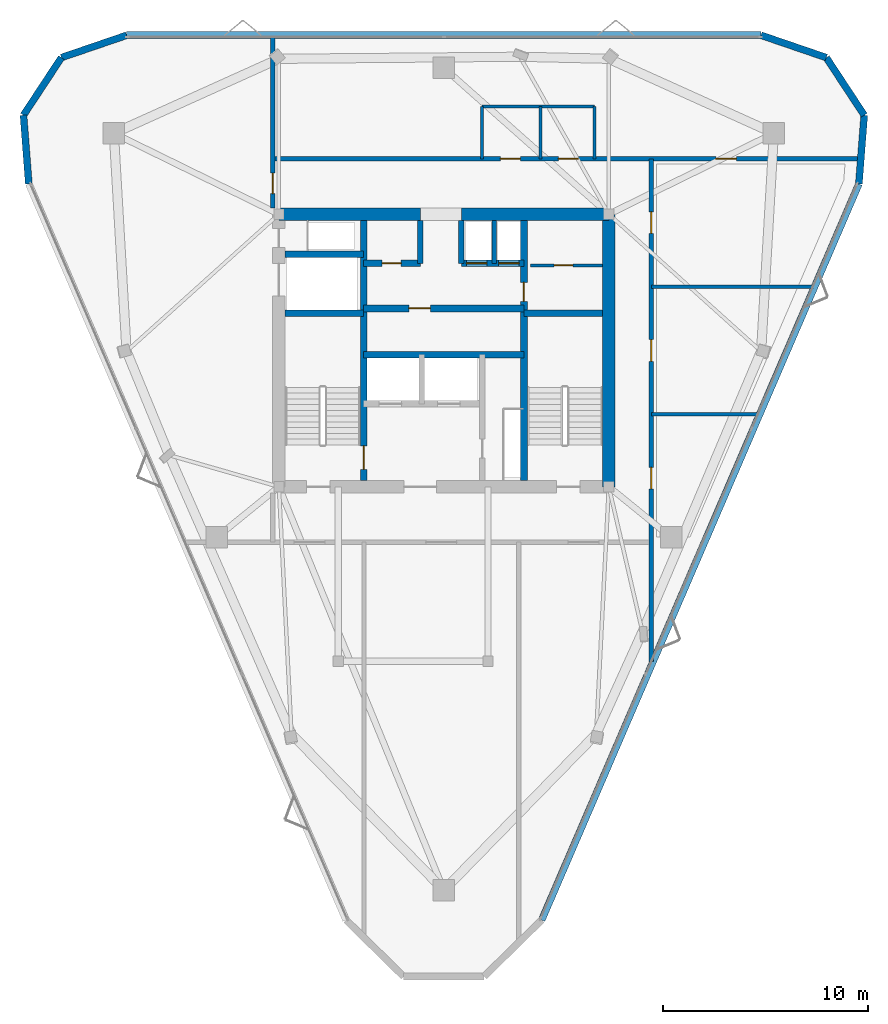
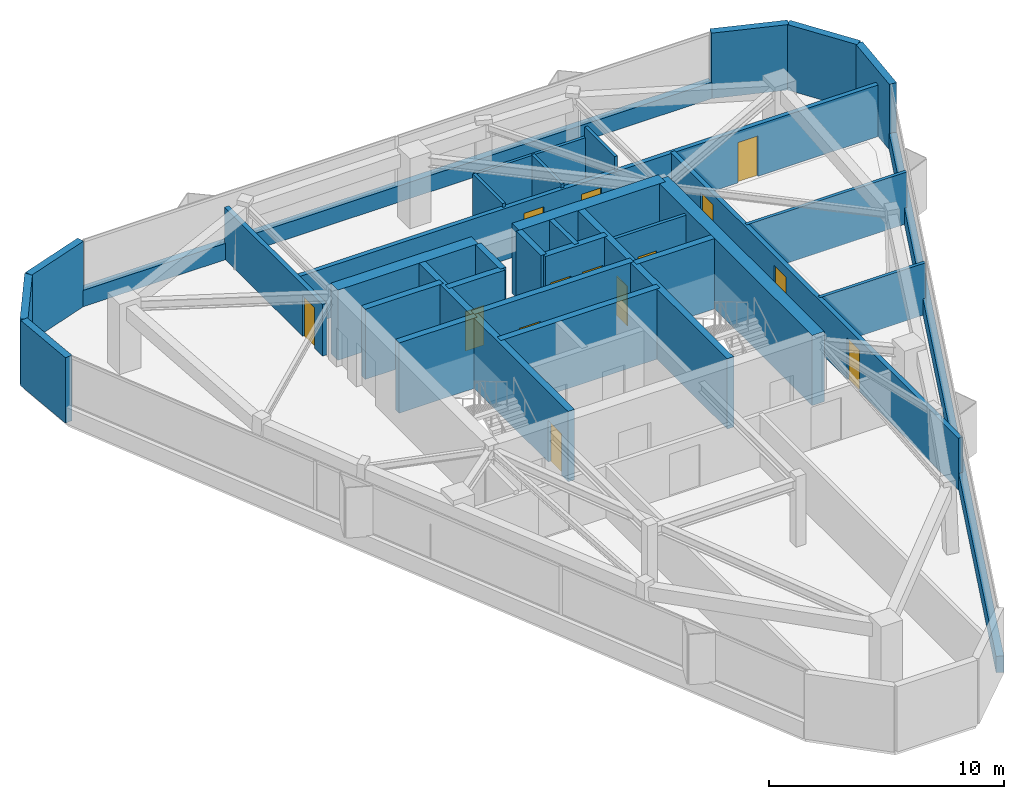
# One storey, part 7 of 9: 33 walls, 14 doors, 14 openings.
"""IFC4 building model written with IfcOpenShell, lengths in metres."""

from ifc_helpers import new_model, si_unit, direction, frame, frame_2d, origin, place, context, subcontext, project, spatial, rectangle, extrude, material, layer, layer_set, type_object, element, fill, save


model = new_model("IFC4")

# Units and contexts
model_context = context("Model", 3, precision=1e-05, world=origin(), true_north=direction((0.0, 1.0)))
body_context = subcontext(model_context, "Body", "Model", "MODEL_VIEW")
ifc_project = project(units=[si_unit("LENGTHUNIT", "METRE"), si_unit("AREAUNIT", "SQUARE_METRE"), si_unit("VOLUMEUNIT", "CUBIC_METRE"), si_unit("PLANEANGLEUNIT", "RADIAN"), si_unit("MASSUNIT", "GRAM", prefix="KILO")], contexts=[model_context])

# Site, building, storey
site_placement = place(None, origin())
site = spatial("IfcSite", under=ifc_project, at=site_placement, CompositionType="ELEMENT")
building_placement = place(site_placement, origin())
building = spatial("IfcBuilding", under=site, at=building_placement, Name="Talyreon Biosciences Tower", CompositionType="ELEMENT")
storey_placement = place(building_placement, frame((0.0, 0.0, 302.050048828125)))
storey = spatial("IfcBuildingStorey", under=building, at=storey_placement, Name="L80", CompositionType="ELEMENT", Elevation=302.050048828125)

# Walls
ifc_material_1 = material(Name="Concrete C50/60", Category="concrete")
ifc_layer_1 = layer(ifc_material_1, 0.219970703125)
ifc_layer_set_1 = layer_set([ifc_layer_1], Name="Concrete C50/60")
wall_type_1 = type_object("IfcWallType", Name="CoreShearWall_220", PredefinedType="SHEAR", material=ifc_layer_set_1)
wall_1_placement = place(storey_placement, frame((68.4599609375, 72.25, 0.0), z_axis=(0.0, 0.0, 1.0), x_axis=(0.0, 1.0, 0.0)))
element("IfcWall", 1, at=wall_1_placement, inside=storey, type_object=wall_type_1, Name="L80 Core Shaft Wall SWPHD", PredefinedType="SHEAR", context=body_context, shape_type="SweptSolid", body=[
    extrude(rectangle(XDim=2.10009765625, YDim=0.219970703125, at=frame_2d((1.050048828125, 0.0))), origin(), (0.0, 0.0, 1.0), 3.64990234375),
])
ifc_layer_2 = layer(ifc_material_1, 0.280029296875)
ifc_layer_set_2 = layer_set([ifc_layer_2], Name="Concrete C50/60")
wall_type_2 = type_object("IfcWallType", Name="CoreShearWall_280", PredefinedType="SHEAR", material=ifc_layer_set_2)
for number, where, z_axis, x_axis, name in (
    (2, (64.85009765625, 72.25, 0.0), (0.0, 0.0, 1.0), (0.0, 1.0, 0.0), "L80 Core Shaft Wall SWTHW"),
    (3, (66.85009765625, 72.25, 0.0), (0.0, 0.0, 1.0), (0.0, 1.0, 0.0), "L80 Core Shaft Wall SWTHE"),
):
    element("IfcWall", number, at=place(storey_placement, frame(where, z_axis=z_axis, x_axis=x_axis)), inside=storey, type_object=wall_type_2, Name=name, PredefinedType="SHEAR", context=body_context, shape_type="SweptSolid", body=[
        extrude(rectangle(XDim=2.10009765625, YDim=0.280029296875, at=frame_2d((1.050048828125, 0.0))), origin(), (0.0, 0.0, 1.0), 3.64990234375),
    ])

# Wall, opening, door
ifc_layer_3 = layer(ifc_material_1, 0.320068359375)
ifc_layer_set_3 = layer_set([ifc_layer_3], Name="Concrete C50/60")
wall_type_3 = type_object("IfcWallType", Name="CoreShearWall_320", PredefinedType="SHEAR", material=ifc_layer_set_3)
wall_2_placement = place(storey_placement, frame((62.090087890625, 61.64990234375, 0.0), z_axis=(0.0, 0.0, 1.0), x_axis=(0.0, 1.0, 0.0)))
wall_2 = element("IfcWall", 4, at=wall_2_placement, inside=storey, type_object=wall_type_3, Name="L80 Core Shaft Wall SW1E", PredefinedType="SHEAR", context=body_context, shape_type="SweptSolid", body=[
    extrude(rectangle(XDim=12.7001953125, YDim=0.320068359375, at=frame_2d((6.35009765625, 0.0))), origin(), (0.0, 0.0, 1.0), 3.64990234375),
])
opening_1_placement = place(wall_2_placement, frame((0.550048828125, 0.0, 0.0)))
opening_1 = element("IfcOpeningElement", 5, at=opening_1_placement, cuts=wall_2, Name="Opening DR-L80-FF-ST1", PredefinedType="OPENING", context=body_context, shape_type="SweptSolid", body=[
    extrude(rectangle(XDim=1.14990234375, YDim=2.14990234375, at=frame_2d((0.574951171875, 1.074951171875))), frame((0.0, 0.169921875, 0.0), z_axis=(0.0, -1.0, 0.0), x_axis=(1.0, 0.0, 0.0)), (0.0, 0.0, 1.0), 0.340087890625),
])
ifc_material_2 = material(Name="Painted steel fire door", Category="steel")
door_type_1 = type_object("IfcDoorType", Name="StairShaftFireDoor_1150x2150", OperationType="NOTDEFINED", PredefinedType="DOOR", material=ifc_material_2)
door_1_placement = place(opening_1_placement, origin())
door_1 = element("IfcDoor", 6, at=door_1_placement, inside=storey, type_object=door_type_1, Name="L80 Core Door DR-L80-FF-ST1", OperationType="SINGLE_SWING_LEFT", OverallHeight=2.14990234375, OverallWidth=1.14990234375, PredefinedType="DOOR", context=body_context, shape_type="SweptSolid", body=[
    extrude(rectangle(XDim=1.14990234375, YDim=2.14990234375, at=frame_2d((0.574951171875, 1.074951171875))), frame((0.0, 0.02490234375, 0.0), z_axis=(0.0, -1.0, 0.0), x_axis=(1.0, 0.0, 0.0)), (0.0, 0.0, 1.0), 0.050048828125),
])
fill(opening_1, door_1)

wall_3_placement = place(storey_placement, frame((69.909912109375, 61.64990234375, 0.0), z_axis=(0.0, 0.0, 1.0), x_axis=(0.0, 1.0, 0.0)))
wall_3 = element("IfcWall", 7, at=wall_3_placement, inside=storey, type_object=wall_type_3, Name="L80 Core Shaft Wall SW2W", PredefinedType="SHEAR", context=body_context, shape_type="SweptSolid", body=[
    extrude(rectangle(XDim=12.7001953125, YDim=0.320068359375, at=frame_2d((6.35009765625, 0.0))), origin(), (0.0, 0.0, 1.0), 3.64990234375),
])
opening_2_placement = place(wall_3_placement, frame((8.75, 0.0, 0.0)))
opening_2 = element("IfcOpeningElement", 8, at=opening_2_placement, cuts=wall_3, Name="Opening DR-L80-CSRV", PredefinedType="OPENING", context=body_context, shape_type="SweptSolid", body=[
    extrude(rectangle(XDim=0.919921875, YDim=2.050048828125, at=frame_2d((0.4599609375, 1.02490234375))), frame((0.0, 0.169921875, 0.0), z_axis=(0.0, -1.0, 0.0), x_axis=(1.0, 0.0, 0.0)), (0.0, 0.0, 1.0), 0.340087890625),
])
ifc_material_3 = material(Name="Painted steel fire-rated riser door", Category="steel")
door_type_2 = type_object("IfcDoorType", Name="RiserPlantAccessDoor_920x2050", OperationType="NOTDEFINED", PredefinedType="DOOR", material=ifc_material_3)
door_2_placement = place(opening_2_placement, origin())
door_2 = element("IfcDoor", 9, at=door_2_placement, inside=storey, type_object=door_type_2, Name="L80 Core Door DR-L80-CSRV", OperationType="SINGLE_SWING_RIGHT", OverallHeight=2.050048828125, OverallWidth=0.919921875, PredefinedType="DOOR", context=body_context, shape_type="SweptSolid", body=[
    extrude(rectangle(XDim=0.919921875, YDim=2.050048828125, at=frame_2d((0.4599609375, 1.02490234375))), frame((0.0, 0.02490234375, 0.0), z_axis=(0.0, -1.0, 0.0), x_axis=(1.0, 0.0, 0.0)), (0.0, 0.0, 1.0), 0.050048828125),
])
fill(opening_2, door_2)

# Walls
for number, where, z_axis, x_axis, name in (
    (10, (58.25, 69.81005859375, 0.0), (0.0, 0.0, 1.0), (1.0, 0.0, 0.0), "L80 Core Shaft Wall SW1N"),
    (11, (69.909912109375, 69.81005859375, 0.0), (0.0, 0.0, 1.0), (1.0, 0.0, 0.0), "L80 Core Shaft Wall SW2N"),
    (12, (58.25, 72.699951171875, 0.0), (0.0, 0.0, 1.0), (1.0, 0.0, 0.0), "L80 Core Shaft Wall SWGLN"),
):
    element("IfcWall", number, at=place(storey_placement, frame(where, z_axis=z_axis, x_axis=x_axis)), inside=storey, type_object=wall_type_3, Name=name, PredefinedType="SHEAR", context=body_context, shape_type="SweptSolid", body=[
        extrude(rectangle(XDim=3.840087890625, YDim=0.320068359375, at=frame_2d((1.919921875, 0.0))), origin(), (0.0, 0.0, 1.0), 3.64990234375),
    ])
wall_4_placement = place(storey_placement, frame((62.090087890625, 67.800048828125, 0.0), z_axis=(0.0, 0.0, 1.0), x_axis=(1.0, 0.0, 0.0)))
element("IfcWall", 13, at=wall_4_placement, inside=storey, type_object=wall_type_3, Name="L80 Core Shaft Wall SWSHM", PredefinedType="SHEAR", context=body_context, shape_type="SweptSolid", body=[
    extrude(rectangle(XDim=7.81982421875, YDim=0.320068359375, at=frame_2d((3.909912109375, 0.0))), origin(), (0.0, 0.0, 1.0), 3.64990234375),
])

# Wall, opening, door
wall_5_placement = place(storey_placement, frame((62.090087890625, 70.050048828125, 0.0), z_axis=(0.0, 0.0, 1.0), x_axis=(1.0, 0.0, 0.0)))
wall_5 = element("IfcWall", 14, at=wall_5_placement, inside=storey, type_object=wall_type_3, Name="L80 Core Shaft Wall SWSPN", PredefinedType="SHEAR", context=body_context, shape_type="SweptSolid", body=[
    extrude(rectangle(XDim=7.81982421875, YDim=0.320068359375, at=frame_2d((3.909912109375, 0.0))), origin(), (0.0, 0.0, 1.0), 3.64990234375),
])
opening_3_placement = place(wall_5_placement, frame((2.199951171875, 0.0, 0.0)))
opening_3 = element("IfcOpeningElement", 15, at=opening_3_placement, cuts=wall_5, Name="Opening DR-L80-PLPMFREE", PredefinedType="OPENING", context=body_context, shape_type="SweptSolid", body=[
    extrude(rectangle(XDim=1.050048828125, YDim=2.14990234375, at=frame_2d((0.52490234375, 1.074951171875))), frame((0.0, 0.169921875, 0.0), z_axis=(0.0, -1.0, 0.0), x_axis=(1.0, 0.0, 0.0)), (0.0, 0.0, 1.0), 0.340087890625),
])
ifc_material_4 = material(Name="Acoustic timber-core laboratory door", Category="wood")
door_type_3 = type_object("IfcDoorType", Name="DryLabSingleDoor_1050x2150", OperationType="NOTDEFINED", PredefinedType="DOOR", material=ifc_material_4)
door_3_placement = place(opening_3_placement, origin())
door_3 = element("IfcDoor", 16, at=door_3_placement, inside=storey, type_object=door_type_3, Name="L80 Core Door DR-L80-PLPMFREE", OperationType="SINGLE_SWING_LEFT", OverallHeight=2.14990234375, OverallWidth=1.050048828125, PredefinedType="DOOR", context=body_context, shape_type="SweptSolid", body=[
    extrude(rectangle(XDim=1.050048828125, YDim=2.14990234375, at=frame_2d((0.52490234375, 1.074951171875))), frame((0.0, 0.02490234375, 0.0), z_axis=(0.0, -1.0, 0.0), x_axis=(1.0, 0.0, 0.0)), (0.0, 0.0, 1.0), 0.050048828125),
])
fill(opening_3, door_3)

wall_6_placement = place(storey_placement, frame((62.090087890625, 72.25, 0.0), z_axis=(0.0, 0.0, 1.0), x_axis=(1.0, 0.0, 0.0)))
wall_6 = element("IfcWall", 17, at=wall_6_placement, inside=storey, type_object=wall_type_3, Name="L80 Core Shaft Wall SWNPW", PredefinedType="SHEAR", context=body_context, shape_type="SweptSolid", body=[
    extrude(rectangle(XDim=2.760009765625, YDim=0.320068359375, at=frame_2d((1.3798828125, 0.0))), origin(), (0.0, 0.0, 1.0), 3.64990234375),
])
opening_4_placement = place(wall_6_placement, frame((0.89990234375, 0.0, 0.0)))
opening_4 = element("IfcOpeningElement", 18, at=opening_4_placement, cuts=wall_6, Name="Opening DR-L80-PM2FREE", PredefinedType="OPENING", context=body_context, shape_type="SweptSolid", body=[
    extrude(rectangle(XDim=0.919921875, YDim=2.050048828125, at=frame_2d((0.4599609375, 1.02490234375))), frame((0.0, 0.169921875, 0.0), z_axis=(0.0, -1.0, 0.0), x_axis=(1.0, 0.0, 0.0)), (0.0, 0.0, 1.0), 0.340087890625),
])
door_4_placement = place(opening_4_placement, origin())
door_4 = element("IfcDoor", 19, at=door_4_placement, inside=storey, type_object=door_type_2, Name="L80 Core Door DR-L80-PM2FREE", OperationType="SINGLE_SWING_RIGHT", OverallHeight=2.050048828125, OverallWidth=0.919921875, PredefinedType="DOOR", context=body_context, shape_type="SweptSolid", body=[
    extrude(rectangle(XDim=0.919921875, YDim=2.050048828125, at=frame_2d((0.4599609375, 1.02490234375))), frame((0.0, 0.02490234375, 0.0), z_axis=(0.0, -1.0, 0.0), x_axis=(1.0, 0.0, 0.0)), (0.0, 0.0, 1.0), 0.050048828125),
])
fill(opening_4, door_4)

# Wall, openings, doors
wall_7_placement = place(storey_placement, frame((66.85009765625, 72.25, 0.0), z_axis=(0.0, 0.0, 1.0), x_axis=(1.0, 0.0, 0.0)))
wall_7 = element("IfcWall", 20, at=wall_7_placement, inside=storey, type_object=wall_type_3, Name="L80 Core Shaft Wall SWNPE", PredefinedType="SHEAR", context=body_context, shape_type="SweptSolid", body=[
    extrude(rectangle(XDim=3.059814453125, YDim=0.320068359375, at=frame_2d((1.52978515625, 0.0))), origin(), (0.0, 0.0, 1.0), 3.64990234375),
])
opening_5_placement = place(wall_7_placement, frame((0.25, 0.0, 0.0)))
opening_5 = element("IfcOpeningElement", 21, at=opening_5_placement, cuts=wall_7, Name="Opening LD-L80-PH1", PredefinedType="OPENING", context=body_context, shape_type="SweptSolid", body=[
    extrude(rectangle(XDim=1.0, YDim=2.199951171875, at=frame_2d((0.5, 1.10009765625))), frame((0.0, 0.169921875, 0.0), z_axis=(0.0, -1.0, 0.0), x_axis=(1.0, 0.0, 0.0)), (0.0, 0.0, 1.0), 0.340087890625),
])
opening_6_placement = place(wall_7_placement, frame((1.820068359375, 0.0, 0.0)))
opening_6 = element("IfcOpeningElement", 22, at=opening_6_placement, cuts=wall_7, Name="Opening LD-L80-PH2", PredefinedType="OPENING", context=body_context, shape_type="SweptSolid", body=[
    extrude(rectangle(XDim=1.0, YDim=2.199951171875, at=frame_2d((0.5, 1.10009765625))), frame((0.0, 0.169921875, 0.0), z_axis=(0.0, -1.0, 0.0), x_axis=(1.0, 0.0, 0.0)), (0.0, 0.0, 1.0), 0.340087890625),
])
ifc_material_5 = material(Name="Brushed stainless-steel lift landing door", Category="steel")
door_type_4 = type_object("IfcDoorType", Name="LiftSlidingLandingDoor_1100x2200", OperationType="SLIDING_TO_LEFT", PredefinedType="DOOR", material=ifc_material_5)
door_5_placement = place(opening_5_placement, origin())
door_5 = element("IfcDoor", 23, at=door_5_placement, inside=storey, type_object=door_type_4, Name="L80 Core Door LD-L80-PH1", OperationType="SLIDING_TO_LEFT", OverallHeight=2.199951171875, OverallWidth=1.0, PredefinedType="DOOR", context=body_context, shape_type="SweptSolid", body=[
    extrude(rectangle(XDim=1.0, YDim=2.199951171875, at=frame_2d((0.5, 1.10009765625))), frame((0.0, 0.02490234375, 0.0), z_axis=(0.0, -1.0, 0.0), x_axis=(1.0, 0.0, 0.0)), (0.0, 0.0, 1.0), 0.050048828125),
])
fill(opening_5, door_5)
door_6_placement = place(opening_6_placement, origin())
door_6 = element("IfcDoor", 24, at=door_6_placement, inside=storey, type_object=door_type_4, Name="L80 Core Door LD-L80-PH2", OperationType="SLIDING_TO_LEFT", OverallHeight=2.199951171875, OverallWidth=1.0, PredefinedType="DOOR", context=body_context, shape_type="SweptSolid", body=[
    extrude(rectangle(XDim=1.0, YDim=2.199951171875, at=frame_2d((0.5, 1.10009765625))), frame((0.0, 0.02490234375, 0.0), z_axis=(0.0, -1.0, 0.0), x_axis=(1.0, 0.0, 0.0)), (0.0, 0.0, 1.0), 0.050048828125),
])
fill(opening_6, door_6)

# Walls
ifc_layer_4 = layer(ifc_material_1, 0.60009765625)
ifc_layer_set_4 = layer_set([ifc_layer_4], Name="Concrete C50/60")
wall_type_4 = type_object("IfcWallType", Name="CoreShearWall_600", PredefinedType="SHEAR", material=ifc_layer_set_4)
wall_8_placement = place(storey_placement, frame((74.050048828125, 61.35009765625, 0.0), z_axis=(0.0, 0.0, 1.0), x_axis=(0.0, 1.0, 0.0)))
element("IfcWall", 25, at=wall_8_placement, inside=storey, type_object=wall_type_4, Name="L80 Core Shear Wall E", PredefinedType="SHEAR", context=body_context, shape_type="SweptSolid", body=[
    extrude(rectangle(XDim=13.2998046875, YDim=0.60009765625, at=frame_2d((6.64990234375, 0.0))), origin(), (0.0, 0.0, 1.0), 3.64990234375),
])
wall_9_placement = place(storey_placement, frame((74.050048828125, 74.64990234375, 0.0), z_axis=(0.0, 0.0, 1.0), x_axis=(-1.0, 0.0, 0.0)))
element("IfcWall", 26, at=wall_9_placement, inside=storey, type_object=wall_type_4, Name="L80 Core Shear Wall NE", PredefinedType="SHEAR", context=body_context, shape_type="SweptSolid", body=[
    extrude(rectangle(XDim=7.199951171875, YDim=0.60009765625, at=frame_2d((3.60009765625, 0.0))), origin(), (0.0, 0.0, 1.0), 3.64990234375),
])
wall_10_placement = place(storey_placement, frame((64.85009765625, 74.64990234375, 0.0), z_axis=(0.0, 0.0, 1.0), x_axis=(-1.0, 0.0, 0.0)))
element("IfcWall", 27, at=wall_10_placement, inside=storey, type_object=wall_type_4, Name="L80 Core Shear Wall NW", PredefinedType="SHEAR", context=body_context, shape_type="SweptSolid", body=[
    extrude(rectangle(XDim=6.900146484375, YDim=0.60009765625, at=frame_2d((3.4501953125, 0.0))), origin(), (0.0, 0.0, 1.0), 3.64990234375),
])

# Wall, openings, doors
ifc_material_6 = material(Name="Gypsum fireboard acoustic stud", Category="gypsum")
ifc_layer_5 = layer(ifc_material_6, 0.219970703125)
ifc_layer_set_5 = layer_set([ifc_layer_5], Name="Gypsum fireboard acoustic stud")
wall_type_5 = type_object("IfcWallType", Name="CorridorRatedPartition_220", PredefinedType="PARTITIONING", material=ifc_layer_set_5)
wall_11_placement = place(storey_placement, frame((57.64990234375, 77.35009765625, 0.0), z_axis=(0.0, 0.0, 1.0), x_axis=(1.0, 0.0, 0.0)))
wall_11 = element("IfcWall", 28, at=wall_11_placement, inside=storey, type_object=wall_type_5, Name="L80 Interior Wall IW-L80-COR-N", PredefinedType="PARTITIONING", context=body_context, shape_type="SweptSolid", body=[
    extrude(rectangle(XDim=28.612060546875, YDim=0.219970703125, at=frame_2d((14.30615234375, 0.0))), origin(), (0.0, 0.0, 1.0), 2.679931640625),
])
opening_7_placement = place(wall_11_placement, frame((11.110107421875, 0.0, 0.0)))
opening_7 = element("IfcOpeningElement", 29, at=opening_7_placement, cuts=wall_11, Name="Opening DR-L80-WC", PredefinedType="OPENING", context=body_context, shape_type="SweptSolid", body=[
    extrude(rectangle(XDim=0.97998046875, YDim=2.10009765625, at=frame_2d((0.489990234375, 1.050048828125))), frame((0.0, 0.119873046875, 0.0), z_axis=(0.0, -1.0, 0.0), x_axis=(1.0, 0.0, 0.0)), (0.0, 0.0, 1.0), 0.239990234375),
])
opening_8_placement = place(wall_11_placement, frame((13.93505859375, 0.0, 0.0)))
opening_8 = element("IfcOpeningElement", 30, at=opening_8_placement, cuts=wall_11, Name="Opening DR-L80-AWC", PredefinedType="OPENING", context=body_context, shape_type="SweptSolid", body=[
    extrude(rectangle(XDim=0.97998046875, YDim=2.10009765625, at=frame_2d((0.489990234375, 1.050048828125))), frame((0.0, 0.119873046875, 0.0), z_axis=(0.0, -1.0, 0.0), x_axis=(1.0, 0.0, 0.0)), (0.0, 0.0, 1.0), 0.239990234375),
])
opening_9_placement = place(wall_11_placement, frame((21.62109375, 0.0, 0.0)))
opening_9 = element("IfcOpeningElement", 31, at=opening_9_placement, cuts=wall_11, Name="Opening DR-L80-N1A", PredefinedType="OPENING", context=body_context, shape_type="SweptSolid", body=[
    extrude(rectangle(XDim=1.0, YDim=2.10009765625, at=frame_2d((0.5, 1.050048828125))), frame((0.0, 0.119873046875, 0.0), z_axis=(0.0, -1.0, 0.0), x_axis=(1.0, 0.0, 0.0)), (0.0, 0.0, 1.0), 0.239990234375),
])
ifc_material_7 = material(Name="Laminate moisture-resistant door", Category="wood")
door_type_5 = type_object("IfcDoorType", Name="AccessibleToiletDoor_980x2100", OperationType="NOTDEFINED", PredefinedType="DOOR", material=ifc_material_7)
door_7_placement = place(opening_7_placement, origin())
door_7 = element("IfcDoor", 32, at=door_7_placement, inside=storey, type_object=door_type_5, Name="L80 Interior Door DR-L80-WC", OperationType="SINGLE_SWING_RIGHT", OverallHeight=2.10009765625, OverallWidth=0.97998046875, PredefinedType="DOOR", context=body_context, shape_type="SweptSolid", body=[
    extrude(rectangle(XDim=0.97998046875, YDim=2.10009765625, at=frame_2d((0.489990234375, 1.050048828125))), frame((0.0, 0.02490234375, 0.0), z_axis=(0.0, -1.0, 0.0), x_axis=(1.0, 0.0, 0.0)), (0.0, 0.0, 1.0), 0.050048828125),
])
fill(opening_7, door_7)
door_8_placement = place(opening_8_placement, origin())
door_8 = element("IfcDoor", 33, at=door_8_placement, inside=storey, type_object=door_type_5, Name="L80 Interior Door DR-L80-AWC", OperationType="SINGLE_SWING_RIGHT", OverallHeight=2.10009765625, OverallWidth=0.97998046875, PredefinedType="DOOR", context=body_context, shape_type="SweptSolid", body=[
    extrude(rectangle(XDim=0.97998046875, YDim=2.10009765625, at=frame_2d((0.489990234375, 1.050048828125))), frame((0.0, 0.02490234375, 0.0), z_axis=(0.0, -1.0, 0.0), x_axis=(1.0, 0.0, 0.0)), (0.0, 0.0, 1.0), 0.050048828125),
])
fill(opening_8, door_8)
ifc_material_8 = material(Name="Acoustic oak veneer office door", Category="wood")
door_type_6 = type_object("IfcDoorType", Name="WriteupOfficeDoor_1000x2100", OperationType="NOTDEFINED", PredefinedType="DOOR", material=ifc_material_8)
door_9_placement = place(opening_9_placement, origin())
door_9 = element("IfcDoor", 34, at=door_9_placement, inside=storey, type_object=door_type_6, Name="L80 Interior Door DR-L80-N1A", OperationType="SINGLE_SWING_LEFT", OverallHeight=2.10009765625, OverallWidth=1.0, PredefinedType="DOOR", context=body_context, shape_type="SweptSolid", body=[
    extrude(rectangle(XDim=1.0, YDim=2.10009765625, at=frame_2d((0.5, 1.050048828125))), frame((0.0, 0.02490234375, 0.0), z_axis=(0.0, -1.0, 0.0), x_axis=(1.0, 0.0, 0.0)), (0.0, 0.0, 1.0), 0.050048828125),
])
fill(opening_9, door_9)

# Wall, opening, door
wall_12_placement = place(storey_placement, frame((57.64990234375, 74.949951171875, 0.0), z_axis=(0.0, 0.0, 1.0), x_axis=(0.0, 1.0, 0.0)))
wall_12 = element("IfcWall", 35, at=wall_12_placement, inside=storey, type_object=wall_type_5, Name="L80 Interior Wall IW-L80-WCAP-N", PredefinedType="PARTITIONING", context=body_context, shape_type="SweptSolid", body=[
    extrude(rectangle(XDim=8.348388671875, YDim=0.219970703125, at=frame_2d((4.17431640625, 0.0))), origin(), (0.0, 0.0, 1.0), 2.679931640625),
])
opening_10_placement = place(wall_12_placement, frame((0.699951171875, 0.0, 0.0)))
opening_10 = element("IfcOpeningElement", 36, at=opening_10_placement, cuts=wall_12, Name="Opening DR-L80-W1A", PredefinedType="OPENING", context=body_context, shape_type="SweptSolid", body=[
    extrude(rectangle(XDim=1.0, YDim=2.10009765625, at=frame_2d((0.5, 1.050048828125))), frame((0.0, 0.119873046875, 0.0), z_axis=(0.0, -1.0, 0.0), x_axis=(1.0, 0.0, 0.0)), (0.0, 0.0, 1.0), 0.239990234375),
])
door_10_placement = place(opening_10_placement, origin())
door_10 = element("IfcDoor", 37, at=door_10_placement, inside=storey, type_object=door_type_6, Name="L80 Interior Door DR-L80-W1A", OperationType="SINGLE_SWING_RIGHT", OverallHeight=2.10009765625, OverallWidth=1.0, PredefinedType="DOOR", context=body_context, shape_type="SweptSolid", body=[
    extrude(rectangle(XDim=1.0, YDim=2.10009765625, at=frame_2d((0.5, 1.050048828125))), frame((0.0, 0.02490234375, 0.0), z_axis=(0.0, -1.0, 0.0), x_axis=(1.0, 0.0, 0.0)), (0.0, 0.0, 1.0), 0.050048828125),
])
fill(opening_10, door_10)

# Wall, openings, doors
wall_13_placement = place(storey_placement, frame((76.1201171875, 52.826904296875, 0.0), z_axis=(0.0, 0.0, 1.0), x_axis=(0.0, 1.0, 0.0)))
wall_13 = element("IfcWall", 38, at=wall_13_placement, inside=storey, type_object=wall_type_5, Name="L80 Interior Wall IW-L80-COR-E", PredefinedType="PARTITIONING", context=body_context, shape_type="SweptSolid", body=[
    extrude(rectangle(XDim=24.523193359375, YDim=0.219970703125, at=frame_2d((12.26171875, 0.0))), origin(), (0.0, 0.0, 1.0), 2.679931640625),
])
opening_11_placement = place(wall_13_placement, frame((8.4150390625, 0.0, 0.0)))
opening_11 = element("IfcOpeningElement", 39, at=opening_11_placement, cuts=wall_13, Name="Opening DR-L80-E1A", PredefinedType="OPENING", context=body_context, shape_type="SweptSolid", body=[
    extrude(rectangle(XDim=1.050048828125, YDim=2.14990234375, at=frame_2d((0.52490234375, 1.074951171875))), frame((0.0, 0.119873046875, 0.0), z_axis=(0.0, -1.0, 0.0), x_axis=(1.0, 0.0, 0.0)), (0.0, 0.0, 1.0), 0.239990234375),
])
opening_12_placement = place(wall_13_placement, frame((14.64794921875, 0.0, 0.0)))
opening_12 = element("IfcOpeningElement", 40, at=opening_12_placement, cuts=wall_13, Name="Opening DR-L80-E2A", PredefinedType="OPENING", context=body_context, shape_type="SweptSolid", body=[
    extrude(rectangle(XDim=1.050048828125, YDim=2.14990234375, at=frame_2d((0.52490234375, 1.074951171875))), frame((0.0, 0.119873046875, 0.0), z_axis=(0.0, -1.0, 0.0), x_axis=(1.0, 0.0, 0.0)), (0.0, 0.0, 1.0), 0.239990234375),
])
opening_13_placement = place(wall_13_placement, frame((20.882080078125, 0.0, 0.0)))
opening_13 = element("IfcOpeningElement", 41, at=opening_13_placement, cuts=wall_13, Name="Opening DR-L80-E3A", PredefinedType="OPENING", context=body_context, shape_type="SweptSolid", body=[
    extrude(rectangle(XDim=1.050048828125, YDim=2.14990234375, at=frame_2d((0.52490234375, 1.074951171875))), frame((0.0, 0.119873046875, 0.0), z_axis=(0.0, -1.0, 0.0), x_axis=(1.0, 0.0, 0.0)), (0.0, 0.0, 1.0), 0.239990234375),
])
door_11_placement = place(opening_11_placement, origin())
door_11 = element("IfcDoor", 42, at=door_11_placement, inside=storey, type_object=door_type_3, Name="L80 Interior Door DR-L80-E1A", OperationType="SINGLE_SWING_LEFT", OverallHeight=2.14990234375, OverallWidth=1.050048828125, PredefinedType="DOOR", context=body_context, shape_type="SweptSolid", body=[
    extrude(rectangle(XDim=1.050048828125, YDim=2.14990234375, at=frame_2d((0.52490234375, 1.074951171875))), frame((0.0, 0.02490234375, 0.0), z_axis=(0.0, -1.0, 0.0), x_axis=(1.0, 0.0, 0.0)), (0.0, 0.0, 1.0), 0.050048828125),
])
fill(opening_11, door_11)
door_12_placement = place(opening_12_placement, origin())
door_12 = element("IfcDoor", 43, at=door_12_placement, inside=storey, type_object=door_type_3, Name="L80 Interior Door DR-L80-E2A", OperationType="SINGLE_SWING_RIGHT", OverallHeight=2.14990234375, OverallWidth=1.050048828125, PredefinedType="DOOR", context=body_context, shape_type="SweptSolid", body=[
    extrude(rectangle(XDim=1.050048828125, YDim=2.14990234375, at=frame_2d((0.52490234375, 1.074951171875))), frame((0.0, 0.02490234375, 0.0), z_axis=(0.0, -1.0, 0.0), x_axis=(1.0, 0.0, 0.0)), (0.0, 0.0, 1.0), 0.050048828125),
])
fill(opening_12, door_12)
door_13_placement = place(opening_13_placement, origin())
door_13 = element("IfcDoor", 44, at=door_13_placement, inside=storey, type_object=door_type_3, Name="L80 Interior Door DR-L80-E3A", OperationType="SINGLE_SWING_RIGHT", OverallHeight=2.14990234375, OverallWidth=1.050048828125, PredefinedType="DOOR", context=body_context, shape_type="SweptSolid", body=[
    extrude(rectangle(XDim=1.050048828125, YDim=2.14990234375, at=frame_2d((0.52490234375, 1.074951171875))), frame((0.0, 0.02490234375, 0.0), z_axis=(0.0, -1.0, 0.0), x_axis=(1.0, 0.0, 0.0)), (0.0, 0.0, 1.0), 0.050048828125),
])
fill(opening_13, door_13)

# Wall, opening, door
ifc_material_9 = material(Name="Gypsum acoustic stud partition", Category="gypsum")
ifc_layer_6 = layer(ifc_material_9, 0.159912109375)
ifc_layer_set_6 = layer_set([ifc_layer_6], Name="Gypsum acoustic stud partition")
wall_type_6 = type_object("IfcWallType", Name="LabSeparationPartition_160", PredefinedType="PARTITIONING", material=ifc_layer_set_6)
wall_14_placement = place(storey_placement, frame((70.22998046875, 72.14990234375, 0.0), z_axis=(0.0, 0.0, 1.0), x_axis=(1.0, 0.0, 0.0)))
wall_14 = element("IfcWall", 45, at=wall_14_placement, inside=storey, type_object=wall_type_6, Name="L80 Interior Wall IW-L80-CSRV-H", PredefinedType="PARTITIONING", context=body_context, shape_type="SweptSolid", body=[
    extrude(rectangle(XDim=3.52001953125, YDim=0.159912109375, at=frame_2d((1.760009765625, 0.0))), origin(), (0.0, 0.0, 1.0), 3.39990234375),
])
opening_14_placement = place(wall_14_placement, frame((1.14990234375, 0.0, 0.0)))
opening_14 = element("IfcOpeningElement", 46, at=opening_14_placement, cuts=wall_14, Name="Opening DR-L80-CSRV-I", PredefinedType="OPENING", context=body_context, shape_type="SweptSolid", body=[
    extrude(rectangle(XDim=0.919921875, YDim=2.050048828125, at=frame_2d((0.4599609375, 1.02490234375))), frame((0.0, 0.08984375, 0.0), z_axis=(0.0, -1.0, 0.0), x_axis=(1.0, 0.0, 0.0)), (0.0, 0.0, 1.0), 0.179931640625),
])
door_14_placement = place(opening_14_placement, origin())
door_14 = element("IfcDoor", 47, at=door_14_placement, inside=storey, type_object=door_type_2, Name="L80 Interior Door DR-L80-CSRV-I", OperationType="SINGLE_SWING_LEFT", OverallHeight=2.050048828125, OverallWidth=0.919921875, PredefinedType="DOOR", context=body_context, shape_type="SweptSolid", body=[
    extrude(rectangle(XDim=0.919921875, YDim=2.050048828125, at=frame_2d((0.4599609375, 1.02490234375))), frame((0.0, 0.02490234375, 0.0), z_axis=(0.0, -1.0, 0.0), x_axis=(1.0, 0.0, 0.0)), (0.0, 0.0, 1.0), 0.050048828125),
])
fill(opening_14, door_14)

# Walls
wall_15_placement = place(storey_placement, frame((76.1201171875, 64.883056640625, 0.0), z_axis=(0.0, 0.0, 1.0), x_axis=(1.0, 0.0, 0.0)))
element("IfcWall", 48, at=wall_15_placement, inside=storey, type_object=wall_type_6, Name="L80 Interior Wall IW-L80-EDIV1", PredefinedType="PARTITIONING", context=body_context, shape_type="SweptSolid", body=[
    extrude(rectangle(XDim=5.195068359375, YDim=0.159912109375, at=frame_2d((2.59765625, 0.0))), origin(), (0.0, 0.0, 1.0), 2.679931640625),
])
wall_16_placement = place(storey_placement, frame((76.1201171875, 71.116943359375, 0.0), z_axis=(0.0, 0.0, 1.0), x_axis=(1.0, 0.0, 0.0)))
element("IfcWall", 49, at=wall_16_placement, inside=storey, type_object=wall_type_6, Name="L80 Interior Wall IW-L80-EDIV2", PredefinedType="PARTITIONING", context=body_context, shape_type="SweptSolid", body=[
    extrude(rectangle(XDim=7.881591796875, YDim=0.159912109375, at=frame_2d((3.94091796875, 0.0))), origin(), (0.0, 0.0, 1.0), 2.679931640625),
])
ifc_material_10 = material(Name="Precast concrete C45/55", Category="concrete")
ifc_layer_7 = layer(ifc_material_10, 0.340087890625)
ifc_layer_set_7 = layer_set([ifc_layer_7], Name="Precast concrete C45/55")
wall_type_7 = type_object("IfcWallType", Name="PrecastConcreteSpandrelWall_340", PredefinedType="STANDARD", material=ifc_layer_set_7)
wall_17_placement = place(storey_placement, frame((45.74755859375, 76.12548828125, 0.0), z_axis=(0.0, 0.0, 1.0), x_axis=(-0.07716791082, 0.997018110939, 0.0)))
element("IfcWall", 50, at=wall_17_placement, inside=storey, type_object=wall_type_7, Name="L80 Rounded-Corner Concrete Pier 01", PredefinedType="STANDARD", context=body_context, shape_type="SweptSolid", body=[
    extrude(rectangle(XDim=3.3662109375, YDim=0.340087890625, at=frame_2d((1.68310546875, 0.0))), origin(), (0.0, 0.0, 1.0), 3.39990234375),
])
wall_18_placement = place(storey_placement, frame((45.48779296875, 79.481689453125, 0.0), z_axis=(0.0, 0.0, 1.0), x_axis=(0.549652464566, 0.835393421208, 0.0)))
element("IfcWall", 51, at=wall_18_placement, inside=storey, type_object=wall_type_7, Name="L80 Rounded-Corner Concrete Pier 02", PredefinedType="STANDARD", context=body_context, shape_type="SweptSolid", body=[
    extrude(rectangle(XDim=3.366455078125, YDim=0.340087890625, at=frame_2d((1.68310546875, 0.0))), origin(), (0.0, 0.0, 1.0), 3.39990234375),
])
wall_19_placement = place(storey_placement, frame((47.338134765625, 82.2939453125, 0.0), z_axis=(0.0, 0.0, 1.0), x_axis=(0.946188532632, 0.323615915423, 0.0)))
element("IfcWall", 52, at=wall_19_placement, inside=storey, type_object=wall_type_7, Name="L80 Rounded-Corner Concrete Pier 03", PredefinedType="STANDARD", context=body_context, shape_type="SweptSolid", body=[
    extrude(rectangle(XDim=3.3662109375, YDim=0.340087890625, at=frame_2d((1.68310546875, 0.0))), origin(), (0.0, 0.0, 1.0), 3.39990234375),
])
wall_20_placement = place(storey_placement, frame((50.523193359375, 83.38330078125, 0.0), z_axis=(0.0, 0.0, 1.0), x_axis=(1.0, 0.0, 0.0)))
element("IfcWall", 53, at=wall_20_placement, inside=storey, type_object=wall_type_7, Name="L80 Expressed Concrete Sill Wall 04", PredefinedType="STANDARD", context=body_context, shape_type="SweptSolid", body=[
    extrude(rectangle(XDim=30.95361328125, YDim=0.340087890625, at=frame_2d((15.476806640625, 0.0))), origin(), (0.0, 0.0, 1.0), 0.849853515625),
])
wall_21_placement = place(storey_placement, frame((81.476806640625, 83.38330078125, 0.0), z_axis=(0.0, 0.0, 1.0), x_axis=(0.946188532632, -0.323615915423, 0.0)))
element("IfcWall", 54, at=wall_21_placement, inside=storey, type_object=wall_type_7, Name="L80 Rounded-Corner Concrete Pier 05", PredefinedType="STANDARD", context=body_context, shape_type="SweptSolid", body=[
    extrude(rectangle(XDim=3.3662109375, YDim=0.340087890625, at=frame_2d((1.68310546875, 0.0))), origin(), (0.0, 0.0, 1.0), 3.39990234375),
])
wall_22_placement = place(storey_placement, frame((84.661865234375, 82.2939453125, 0.0), z_axis=(0.0, 0.0, 1.0), x_axis=(0.549652464566, -0.835393421208, 0.0)))
element("IfcWall", 55, at=wall_22_placement, inside=storey, type_object=wall_type_7, Name="L80 Rounded-Corner Concrete Pier 06", PredefinedType="STANDARD", context=body_context, shape_type="SweptSolid", body=[
    extrude(rectangle(XDim=3.366455078125, YDim=0.340087890625, at=frame_2d((1.68310546875, 0.0))), origin(), (0.0, 0.0, 1.0), 3.39990234375),
])
wall_23_placement = place(storey_placement, frame((86.51220703125, 79.481689453125, 0.0), z_axis=(0.0, 0.0, 1.0), x_axis=(-0.07716791082, -0.997018110939, 0.0)))
element("IfcWall", 56, at=wall_23_placement, inside=storey, type_object=wall_type_7, Name="L80 Rounded-Corner Concrete Pier 07", PredefinedType="STANDARD", context=body_context, shape_type="SweptSolid", body=[
    extrude(rectangle(XDim=3.3662109375, YDim=0.340087890625, at=frame_2d((1.68310546875, 0.0))), origin(), (0.0, 0.0, 1.0), 3.39990234375),
])
wall_24_placement = place(storey_placement, frame((86.25244140625, 76.12548828125, 0.0), z_axis=(0.0, 0.0, 1.0), x_axis=(-0.395743298443, -0.918361171728, 0.0)))
element("IfcWall", 57, at=wall_24_placement, inside=storey, type_object=wall_type_7, Name="L80 Expressed Concrete Sill Wall 08", PredefinedType="STANDARD", context=body_context, shape_type="SweptSolid", body=[
    extrude(rectangle(XDim=39.10888671875, YDim=0.340087890625, at=frame_2d((19.554443359375, 0.0))), origin(), (0.0, 0.0, 1.0), 0.849853515625),
])
ifc_material_11 = material(Name="Moisture-resistant cement-board stud", Category="gypsum")
ifc_layer_8 = layer(ifc_material_11, 0.14501953125)
ifc_layer_set_8 = layer_set([ifc_layer_8], Name="Moisture-resistant cement-board stud")
wall_type_8 = type_object("IfcWallType", Name="WetRoomPartition_145", PredefinedType="PARTITIONING", material=ifc_layer_set_8)
for number, where, z_axis, x_axis, name in (
    (58, (67.85009765625, 77.35009765625, 0.0), (0.0, 0.0, 1.0), (0.0, 1.0, 0.0), "L80 Interior Wall IW-L80-WCL"),
    (59, (70.72509765625, 77.35009765625, 0.0), (0.0, 0.0, 1.0), (0.0, 1.0, 0.0), "L80 Interior Wall IW-L80-WCM"),
):
    element("IfcWall", number, at=place(storey_placement, frame(where, z_axis=z_axis, x_axis=x_axis)), inside=storey, type_object=wall_type_8, Name=name, PredefinedType="PARTITIONING", context=body_context, shape_type="SweptSolid", body=[
        extrude(rectangle(XDim=2.5498046875, YDim=0.14501953125, at=frame_2d((1.27490234375, 0.0))), origin(), (0.0, 0.0, 1.0), 2.8798828125),
    ])
wall_25_placement = place(storey_placement, frame((73.35009765625, 77.35009765625, 0.0), z_axis=(0.0, 0.0, 1.0), x_axis=(0.0, 1.0, 0.0)))
element("IfcWall", 60, at=wall_25_placement, inside=storey, type_object=wall_type_8, Name="L80 Interior Wall IW-L80-WCR", PredefinedType="PARTITIONING", context=body_context, shape_type="SweptSolid", body=[
    extrude(rectangle(XDim=2.5498046875, YDim=0.14501953125, at=frame_2d((1.27490234375, 0.0))), origin(), (0.0, 0.0, 1.0), 3.39990234375),
])
wall_26_placement = place(storey_placement, frame((67.85009765625, 79.89990234375, 0.0), z_axis=(0.0, 0.0, 1.0), x_axis=(1.0, 0.0, 0.0)))
element("IfcWall", 61, at=wall_26_placement, inside=storey, type_object=wall_type_8, Name="L80 Interior Wall IW-L80-WCT", PredefinedType="PARTITIONING", context=body_context, shape_type="SweptSolid", body=[
    extrude(rectangle(XDim=5.5, YDim=0.14501953125, at=frame_2d((2.75, 0.0))), origin(), (0.0, 0.0, 1.0), 2.8798828125),
])

save(model, "model.ifc")
